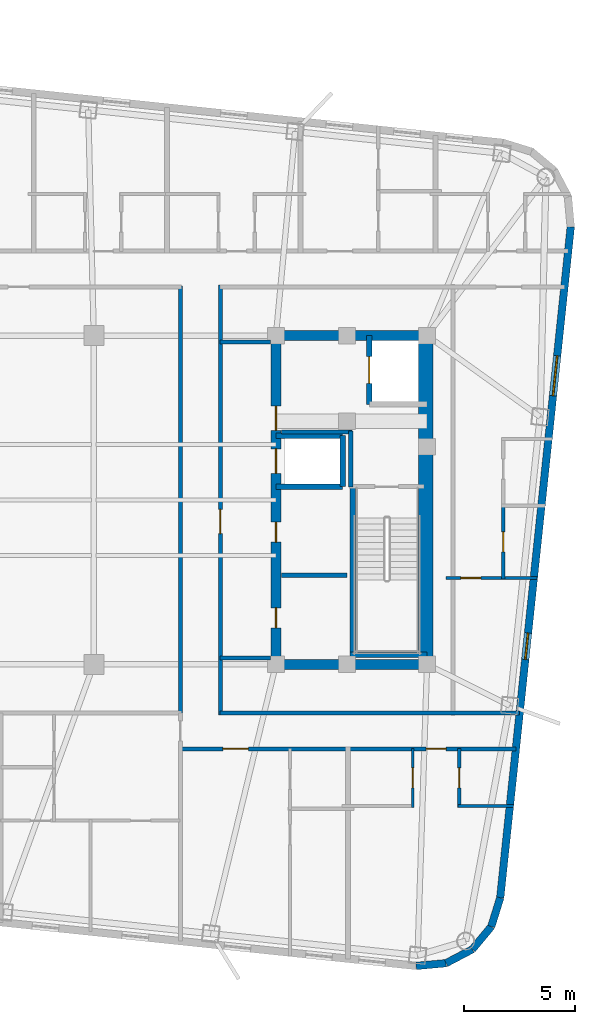
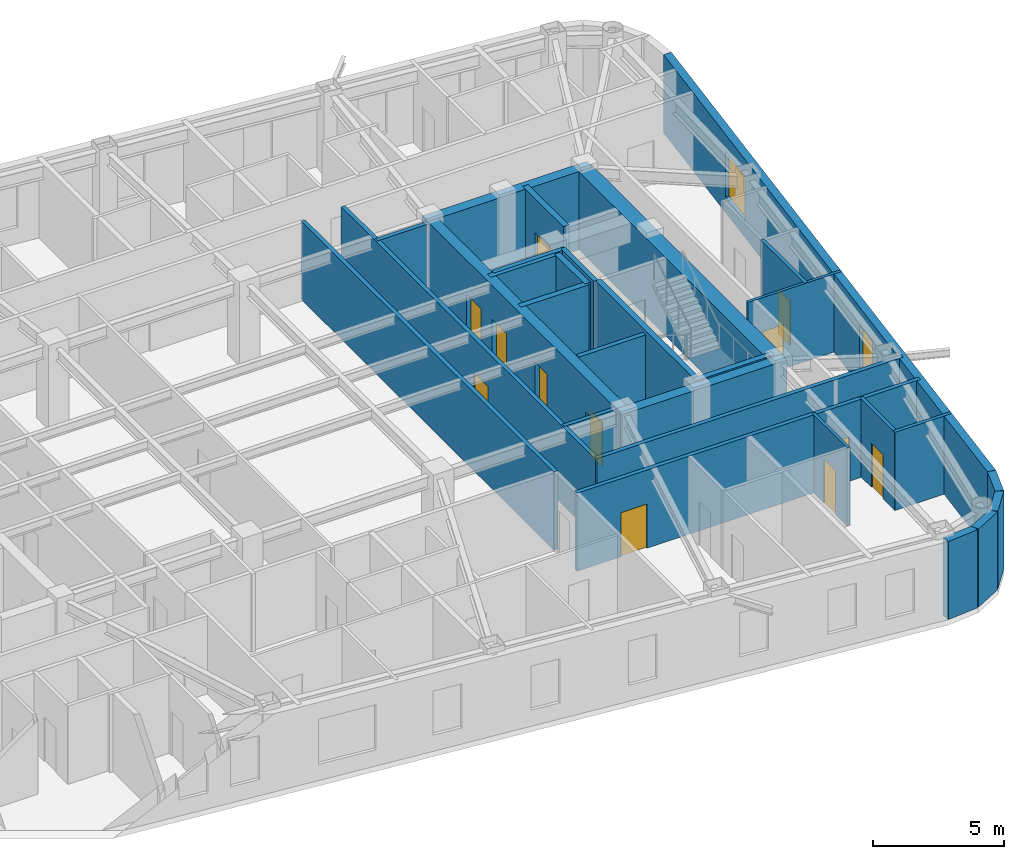
# One storey, part 6 of 11: 29 walls, 12 doors, 2 windows, 14 openings.
"""IFC4 building model written with IfcOpenShell, lengths in metres."""

import ifcopenshell
import ifcopenshell.guid

model = None  # the IFC model being written
_history = None  # IfcOwnerHistory: only IFC2X3 demands one
_inside = {}  # id of a spatial element -> (the spatial element, [elements in it])
_under = {}  # id of a project, library or spatial element -> (it, [spatial elements below it])
_declared = {}  # id of a project -> (the project, [libraries it declares])
_typed = {}  # id of a type object -> (the type object, [elements of that type])
_made_of = {}  # id of a material, layer set ... -> (it, [elements and type objects made of it])


def new_model(schema):
    """Start an empty IFC model of exactly this schema.

    Asked for "IFC4X3", IfcOpenShell would pick the latest addendum, in which some entities
    have other attributes; the version numbers below select the first issue.
    IFC2X3 requires an IfcOwnerHistory on every rooted entity: one is made here for all.
    """
    global model, _history
    if schema == "IFC4X3":
        model = ifcopenshell.file(schema_version=(4, 3, 0, 0))
    else:
        model = ifcopenshell.file(schema=schema)
    _inside.clear()
    _under.clear()
    _declared.clear()
    _typed.clear()
    _made_of.clear()
    _history = None
    if model.schema == "IFC2X3":
        org = make("IfcOrganization", Name="unknown")
        user = make(
            "IfcPersonAndOrganization",
            ThePerson=make("IfcPerson", FamilyName="unknown"),
            TheOrganization=org,
        )
        app = make(
            "IfcApplication",
            ApplicationDeveloper=org,
            Version="unknown",
            ApplicationFullName="unknown",
            ApplicationIdentifier="unknown",
        )
        _history = make(
            "IfcOwnerHistory",
            OwningUser=user,
            OwningApplication=app,
            ChangeAction="ADDED",
            CreationDate=0,
        )
    return model


def make(cls, **values):
    """One entity of the class cls with the attributes given. An attribute that is None is left unset."""
    return model.create_entity(
        cls, **{name: value for name, value in values.items() if value is not None}
    )


def rooted(cls, **values):
    """An entity with a GlobalId (a new one), such as an element, a storey or a relation."""
    return make(cls, GlobalId=ifcopenshell.guid.new(), OwnerHistory=_history, **values)


def si_unit(unit_type, name, prefix=None):
    """IfcSIUnit, for example si_unit("LENGTHUNIT", "METRE", prefix="MILLI")."""
    return make("IfcSIUnit", UnitType=unit_type, Prefix=prefix, Name=name)


def assignment(units):
    """IfcUnitAssignment: the units of a project."""
    return None if units is None else make("IfcUnitAssignment", Units=units)


def point(xyz):
    """IfcCartesianPoint."""
    return None if xyz is None else make("IfcCartesianPoint", Coordinates=xyz)


def direction(xyz):
    """IfcDirection."""
    return None if xyz is None else make("IfcDirection", DirectionRatios=xyz)


def frame(location, z_axis=None, x_axis=None):
    """IfcAxis2Placement3D, a coordinate frame: its origin and axes. An axis left out is left unset."""
    return make(
        "IfcAxis2Placement3D",
        Location=point(location),
        Axis=direction(z_axis),
        RefDirection=direction(x_axis),
    )


def frame_2d(location, x_axis=None):
    """IfcAxis2Placement2D, a coordinate frame in the plane: its origin and x axis."""
    return make(
        "IfcAxis2Placement2D", Location=point(location), RefDirection=direction(x_axis)
    )


def origin():
    """The frame at (0, 0, 0) with its axes left unset."""
    return frame((0.0, 0.0, 0.0))


def place(relative_to, where):
    """IfcLocalPlacement: puts the frame where relative to a parent placement (None: the world)."""
    return make(
        "IfcLocalPlacement", PlacementRelTo=relative_to, RelativePlacement=where
    )


def context(
    kind, dimensions, precision=None, world=None, true_north=None, identifier=None
):
    """IfcGeometricRepresentationContext, for example the 3D "Model" context."""
    return make(
        "IfcGeometricRepresentationContext",
        ContextIdentifier=identifier,
        ContextType=kind,
        CoordinateSpaceDimension=dimensions,
        Precision=precision,
        WorldCoordinateSystem=world,
        TrueNorth=true_north,
    )


def subcontext(parent, identifier, kind, view, scale=None):
    """IfcGeometricRepresentationSubContext, for example "Body" below "Model"."""
    return make(
        "IfcGeometricRepresentationSubContext",
        ContextIdentifier=identifier,
        ContextType=kind,
        ParentContext=parent,
        TargetScale=scale,
        TargetView=view,
    )


def project(units=None, contexts=None):
    """IfcProject with its units and contexts."""
    return rooted(
        "IfcProject",
        Name="project",
        RepresentationContexts=contexts,
        UnitsInContext=assignment(units),
    )


def spatial(cls, under=None, at=None, **own):
    """A site, building, storey or space (cls), placed at a placement, below another one or the project."""
    s = rooted(cls, ObjectPlacement=at, **own)
    if under is not None:
        _under.setdefault(under.id(), (under, []))[1].append(s)
    return s


def profile(cls, at=None, kind="AREA", **sizes):
    """A parametric profile (cls). Its sizes go by their IFC names, for example OverallWidth=200.0."""
    return make(cls, ProfileType=kind, Position=at, **sizes)


def rectangle(**sizes):
    """IfcRectangleProfileDef."""
    return profile("IfcRectangleProfileDef", **sizes)


def extrude(swept, where, along, depth):
    """IfcExtrudedAreaSolid: the profile swept, set in the frame where, extruded along a direction by depth."""
    return make(
        "IfcExtrudedAreaSolid",
        SweptArea=swept,
        Position=where,
        ExtrudedDirection=direction(along),
        Depth=depth,
    )


def shape(context_of_items, identifier, shape_type, items):
    """IfcShapeRepresentation: the items that make up one representation, for example the "Body"."""
    return make(
        "IfcShapeRepresentation",
        ContextOfItems=context_of_items,
        RepresentationIdentifier=identifier,
        RepresentationType=shape_type,
        Items=items,
    )


def material(Name=None, Category=None):
    """IfcMaterial."""
    return make("IfcMaterial", Name=Name, Category=Category)


def layer(
    of_material, thickness, ventilated=None, Name=None, Category=None, Priority=None
):
    """IfcMaterialLayer: one layer of a wall or slab, of a material (None: an air gap)."""
    return make(
        "IfcMaterialLayer",
        Material=of_material,
        LayerThickness=thickness,
        IsVentilated=ventilated,
        Name=Name,
        Category=Category,
        Priority=Priority,
    )


def layer_set(layers, Name=None):
    """IfcMaterialLayerSet."""
    return make("IfcMaterialLayerSet", MaterialLayers=layers, LayerSetName=Name)


def made_of(thing, what):
    """Note that an element or type object is made of a material, layer set ...; save() writes the relation."""
    if what is not None:
        _made_of.setdefault(what.id(), (what, []))[1].append(thing)
    return thing


def type_object(cls, material=None, **own):
    """A type object (cls), such as IfcWallType, which elements share."""
    return made_of(rooted(cls, **own), material)


def element(
    cls,
    number,
    at=None,
    inside=None,
    cuts=None,
    type_object=None,
    material=None,
    context=None,
    identifier="Body",
    shape_type=None,
    held_by="IfcProductDefinitionShape",
    body=None,
    shapes=None,
    **own,
):
    """One element of the class cls, such as IfcWall. Its Tag is "e" and its number.

    at: its placement. inside: the storey or other place that contains it. cuts: it is an
    opening in that element (IfcRelVoidsElement). A single representation is given by context,
    identifier, shape_type and body (its items); several are given by shapes. held_by: the class
    of the entity that holds the representations. save() writes the other relations.
    """
    e = rooted(cls, Tag="e%d" % number, ObjectPlacement=at, **own)
    if body is not None:
        shapes = [shape(context, identifier, shape_type, body)]
    if shapes is not None:
        e.Representation = make(held_by, Representations=shapes)
    if inside is not None:
        _inside.setdefault(inside.id(), (inside, []))[1].append(e)
    if cuts is not None:
        rooted(
            "IfcRelVoidsElement", RelatingBuildingElement=cuts, RelatedOpeningElement=e
        )
    if type_object is not None:
        _typed.setdefault(type_object.id(), (type_object, []))[1].append(e)
    return made_of(e, material)


def fill(opening, filler):
    """IfcRelFillsElement: the door or window that sits in an opening."""
    return rooted(
        "IfcRelFillsElement",
        RelatingOpeningElement=opening,
        RelatedBuildingElement=filler,
    )


def aggregate(whole, parts):
    """IfcRelAggregates: a whole, such as a stair, and the parts it consists of."""
    return rooted("IfcRelAggregates", RelatingObject=whole, RelatedObjects=parts)


def save(model, path):
    """Write the relations noted so far, then the file.

    IfcRelAggregates (storeys below a building ...), IfcRelContainedInSpatialStructure (elements
    in a storey), IfcRelDefinesByType, IfcRelAssociatesMaterial and IfcRelDeclares: one each for
    every whole, place, type object, material and project.
    """
    for whole, parts in _under.values():
        aggregate(whole, parts)
    for where, things in _inside.values():
        rooted(
            "IfcRelContainedInSpatialStructure",
            RelatedElements=things,
            RelatingStructure=where,
        )
    for kind, things in _typed.values():
        rooted("IfcRelDefinesByType", RelatedObjects=things, RelatingType=kind)
    for what, things in _made_of.values():
        rooted("IfcRelAssociatesMaterial", RelatedObjects=things, RelatingMaterial=what)
    for by, libraries in _declared.values():
        rooted("IfcRelDeclares", RelatingContext=by, RelatedDefinitions=libraries)
    model.write(path)


model = new_model("IFC4")

# Units and contexts
model_context = context("Model", 3, precision=1e-05, world=origin(), true_north=direction((0.0, 1.0)))
body_context = subcontext(model_context, "Body", "Model", "MODEL_VIEW")
ifc_project = project(units=[si_unit("LENGTHUNIT", "METRE"), si_unit("AREAUNIT", "SQUARE_METRE"), si_unit("VOLUMEUNIT", "CUBIC_METRE"), si_unit("PLANEANGLEUNIT", "RADIAN"), si_unit("MASSUNIT", "GRAM", prefix="KILO")], contexts=[model_context])

# Site, building, storey
site_placement = place(None, origin())
site = spatial("IfcSite", under=ifc_project, at=site_placement, CompositionType="ELEMENT")
building_placement = place(site_placement, origin())
building = spatial("IfcBuilding", under=site, at=building_placement, Name="Voryun Gate Residences", CompositionType="ELEMENT")
storey_placement = place(building_placement, frame((0.0, 0.0, 287.300048828125)))
storey = spatial("IfcBuildingStorey", under=building, at=storey_placement, Name="L71", CompositionType="ELEMENT", Elevation=287.300048828125)

# Walls
ifc_material_1 = material(Name="Concrete C50/60", Category="concrete")
ifc_layer_1 = layer(ifc_material_1, 0.449951171875, Name="CW_CORE_450")
ifc_layer_set_1 = layer_set([ifc_layer_1], Name="Concrete C50/60")
wall_type_1 = type_object("IfcWallType", Name="CW_CORE_450", PredefinedType="SHEAR", material=ifc_layer_set_1)
for number, where, z_axis, x_axis, name in (
    (1, (12.175048828125, -7.39990234375, 0.0), (0.0, 0.0, 1.0), (1.0, 0.0, 0.0), "L71 Core shear wall CW-L71-ES"),
    (2, (12.175048828125, 7.39990234375, 0.0), (0.0, 0.0, 1.0), (1.0, 0.0, 0.0), "L71 Core shear wall CW-L71-EN"),
):
    element("IfcWall", number, at=place(storey_placement, frame(where, z_axis=z_axis, x_axis=x_axis)), inside=storey, type_object=wall_type_1, Name=name, PredefinedType="SHEAR", context=body_context, shape_type="SweptSolid", body=[
        extrude(rectangle(XDim=7.25, YDim=0.449951171875, at=frame_2d((3.625, 0.0))), origin(), (0.0, 0.0, 1.0), 3.635009765625),
    ])

# Wall, openings, doors
wall_1_placement = place(storey_placement, frame((12.39990234375, -7.39990234375, 0.0), z_axis=(0.0, 0.0, 1.0), x_axis=(0.0, 1.0, 0.0)))
wall_1 = element("IfcWall", 3, at=wall_1_placement, inside=storey, type_object=wall_type_1, Name="L71 Core shear wall CW-L71-EW", PredefinedType="SHEAR", context=body_context, shape_type="SweptSolid", body=[
    extrude(rectangle(XDim=14.7998046875, YDim=0.449951171875, at=frame_2d((7.39990234375, 0.0))), origin(), (0.0, 0.0, 1.0), 3.635009765625),
])
opening_1_placement = place(wall_1_placement, frame((8.60009765625, 0.0, 0.0)))
opening_1 = element("IfcOpeningElement", 4, at=opening_1_placement, cuts=wall_1, Name="Opening LD2", PredefinedType="OPENING", context=body_context, shape_type="SweptSolid", body=[
    extrude(rectangle(XDim=1.10009765625, YDim=2.050048828125, at=frame_2d((0.550048828125, 1.02490234375))), frame((0.0, 0.235107421875, 0.0), z_axis=(0.0, -1.0, 0.0), x_axis=(1.0, 0.0, 0.0)), (0.0, 0.0, 1.0), 0.469970703125),
])
opening_2_placement = place(wall_1_placement, frame((10.530029296875, 0.0, 0.0)))
opening_2 = element("IfcOpeningElement", 5, at=opening_2_placement, cuts=wall_1, Name="Opening D-FD60-2", PredefinedType="OPENING", context=body_context, shape_type="SweptSolid", body=[
    extrude(rectangle(XDim=1.10009765625, YDim=2.050048828125, at=frame_2d((0.550048828125, 1.02490234375))), frame((0.0, 0.235107421875, 0.0), z_axis=(0.0, -1.0, 0.0), x_axis=(1.0, 0.0, 0.0)), (0.0, 0.0, 1.0), 0.469970703125),
])
opening_3_placement = place(wall_1_placement, frame((1.64990234375, 0.0, 0.0)))
opening_3 = element("IfcOpeningElement", 6, at=opening_3_placement, cuts=wall_1, Name="Opening D-FD60-4", PredefinedType="OPENING", context=body_context, shape_type="SweptSolid", body=[
    extrude(rectangle(XDim=0.89990234375, YDim=2.050048828125, at=frame_2d((0.449951171875, 1.02490234375))), frame((0.0, 0.235107421875, 0.0), z_axis=(0.0, -1.0, 0.0), x_axis=(1.0, 0.0, 0.0)), (0.0, 0.0, 1.0), 0.469970703125),
])
opening_4_placement = place(wall_1_placement, frame((5.5, 0.0, 0.0)))
opening_4 = element("IfcOpeningElement", 7, at=opening_4_placement, cuts=wall_1, Name="Opening D-FD60-4", PredefinedType="OPENING", context=body_context, shape_type="SweptSolid", body=[
    extrude(rectangle(XDim=0.89990234375, YDim=2.050048828125, at=frame_2d((0.449951171875, 1.02490234375))), frame((0.0, 0.235107421875, 0.0), z_axis=(0.0, -1.0, 0.0), x_axis=(1.0, 0.0, 0.0)), (0.0, 0.0, 1.0), 0.469970703125),
])
ifc_material_2 = material(Name="Painted steel fire door", Category="steel")
door_type_1 = type_object("IfcDoorType", Name="DR_FD60_FFLOB_1100", OperationType="NOTDEFINED", PredefinedType="DOOR", material=ifc_material_2)
door_1_placement = place(opening_2_placement, origin())
door_1 = element("IfcDoor", 8, at=door_1_placement, inside=storey, type_object=door_type_1, Name="Door DR-L71-CLOB-E", OperationType="SINGLE_SWING_RIGHT", OverallHeight=2.050048828125, OverallWidth=1.10009765625, PredefinedType="DOOR", context=body_context, shape_type="SweptSolid", body=[
    extrude(rectangle(XDim=1.10009765625, YDim=2.050048828125, at=frame_2d((0.550048828125, 1.02490234375))), frame((0.0, 0.02490234375, 0.0), z_axis=(0.0, -1.0, 0.0), x_axis=(1.0, 0.0, 0.0)), (0.0, 0.0, 1.0), 0.050048828125),
])
fill(opening_2, door_1)
ifc_material_3 = material(Name="Painted steel fire door", Category="steel")
door_type_2 = type_object("IfcDoorType", Name="DR_FD60_RISER_900", OperationType="NOTDEFINED", PredefinedType="DOOR", material=ifc_material_3)
door_2_placement = place(opening_3_placement, origin())
door_2 = element("IfcDoor", 9, at=door_2_placement, inside=storey, type_object=door_type_2, Name="Door DR-L71-RECE-HIS", OperationType="SINGLE_SWING_RIGHT", OverallHeight=2.050048828125, OverallWidth=0.89990234375, PredefinedType="DOOR", context=body_context, shape_type="SweptSolid", body=[
    extrude(rectangle(XDim=0.89990234375, YDim=2.050048828125, at=frame_2d((0.449951171875, 1.02490234375))), frame((0.0, 0.02490234375, 0.0), z_axis=(0.0, -1.0, 0.0), x_axis=(1.0, 0.0, 0.0)), (0.0, 0.0, 1.0), 0.050048828125),
])
fill(opening_3, door_2)
door_3_placement = place(opening_4_placement, origin())
door_3 = element("IfcDoor", 10, at=door_3_placement, inside=storey, type_object=door_type_2, Name="Door DR-L71-RECE-HIN", OperationType="SINGLE_SWING_LEFT", OverallHeight=2.050048828125, OverallWidth=0.89990234375, PredefinedType="DOOR", context=body_context, shape_type="SweptSolid", body=[
    extrude(rectangle(XDim=0.89990234375, YDim=2.050048828125, at=frame_2d((0.449951171875, 1.02490234375))), frame((0.0, 0.02490234375, 0.0), z_axis=(0.0, -1.0, 0.0), x_axis=(1.0, 0.0, 0.0)), (0.0, 0.0, 1.0), 0.050048828125),
])
fill(opening_4, door_3)
ifc_material_4 = material(Name="Anodised aluminium", Category="aluminium")
door_type_3 = type_object("IfcDoorType", Name="DR_LD_PASS_1100", OperationType="NOTDEFINED", PredefinedType="DOOR", material=ifc_material_4)
door_4_placement = place(opening_1_placement, origin())
door_4 = element("IfcDoor", 11, at=door_4_placement, inside=storey, type_object=door_type_3, Name="Lift EL-P8 sliding landing door L71", OperationType="SLIDING_TO_LEFT", OverallHeight=2.050048828125, OverallWidth=1.10009765625, PredefinedType="DOOR", context=body_context, shape_type="SweptSolid", body=[
    extrude(rectangle(XDim=1.10009765625, YDim=2.050048828125, at=frame_2d((0.550048828125, 1.02490234375))), frame((0.0, 0.02490234375, 0.0), z_axis=(0.0, -1.0, 0.0), x_axis=(1.0, 0.0, 0.0)), (0.0, 0.0, 1.0), 0.050048828125),
])
fill(opening_1, door_4)

# Walls
ifc_material_5 = material(Name="Concrete C60/75", Category="concrete")
ifc_layer_2 = layer(ifc_material_5, 0.64990234375, Name="CW_CORE_650")
ifc_layer_set_2 = layer_set([ifc_layer_2], Name="Concrete C60/75")
wall_type_2 = type_object("IfcWallType", Name="CW_CORE_650", PredefinedType="SHEAR", material=ifc_layer_set_2)
wall_2_placement = place(storey_placement, frame((19.14501953125, -7.39990234375, 0.0), z_axis=(0.0, 0.0, 1.0), x_axis=(0.0, 1.0, 0.0)))
element("IfcWall", 12, at=wall_2_placement, inside=storey, type_object=wall_type_2, Name="L71 Core shear wall CW-L71-EE", PredefinedType="SHEAR", context=body_context, shape_type="SweptSolid", body=[
    extrude(rectangle(XDim=14.7998046875, YDim=0.64990234375, at=frame_2d((7.39990234375, 0.0))), origin(), (0.0, 0.0, 1.0), 3.635009765625),
])
ifc_material_6 = material(Name="Gypsum acoustic fireboard")
ifc_layer_3 = layer(ifc_material_6, 0.179931640625, Name="W_CORR_RATED_180")
ifc_layer_set_3 = layer_set([ifc_layer_3], Name="Gypsum acoustic fireboard")
wall_type_3 = type_object("IfcWallType", Name="W_CORR_RATED_180", PredefinedType="PARTITIONING", material=ifc_layer_set_3)
for number, where, z_axis, x_axis, name in (
    (13, (9.8798828125, 7.1201171875, 0.0), (0.0, 0.0, 1.0), (1.0, 0.0, 0.0), "Partition wall WP-L71-PLBN-E"),
    (14, (9.8798828125, -7.1201171875, 0.0), (0.0, 0.0, 1.0), (1.0, 0.0, 0.0), "Partition wall WP-L71-PLBS-E"),
):
    element("IfcWall", number, at=place(storey_placement, frame(where, z_axis=z_axis, x_axis=x_axis)), inside=storey, type_object=wall_type_3, Name=name, PredefinedType="PARTITIONING", context=body_context, shape_type="SweptSolid", body=[
        extrude(rectangle(XDim=2.27001953125, YDim=0.179931640625, at=frame_2d((1.135009765625, 0.0))), origin(), (0.0, 0.0, 1.0), 3.635009765625),
    ])

# Wall, opening, door
wall_3_placement = place(storey_placement, frame((9.89990234375, -9.679931640625, 0.0), z_axis=(0.0, 0.0, 1.0), x_axis=(0.0, 1.0, 0.0)))
wall_3 = element("IfcWall", 15, at=wall_3_placement, inside=storey, type_object=wall_type_3, Name="Partition wall WP-L71-PLBE-FULL", PredefinedType="PARTITIONING", context=body_context, shape_type="SweptSolid", body=[
    extrude(rectangle(XDim=19.35986328125, YDim=0.179931640625, at=frame_2d((9.679931640625, 0.0))), origin(), (0.0, 0.0, 1.0), 3.635009765625),
])
opening_5_placement = place(wall_3_placement, frame((8.162109375, 0.0, 0.0)))
opening_5 = element("IfcOpeningElement", 16, at=opening_5_placement, cuts=wall_3, Name="Opening D-FD60-2", PredefinedType="OPENING", context=body_context, shape_type="SweptSolid", body=[
    extrude(rectangle(XDim=1.10009765625, YDim=2.050048828125, at=frame_2d((0.550048828125, 1.02490234375))), frame((0.0, 0.099853515625, 0.0), z_axis=(0.0, -1.0, 0.0), x_axis=(1.0, 0.0, 0.0)), (0.0, 0.0, 1.0), 0.199951171875),
])
door_5_placement = place(opening_5_placement, origin())
door_5 = element("IfcDoor", 17, at=door_5_placement, inside=storey, type_object=door_type_1, Name="Door DR-L71-PLBE-COR", OperationType="SINGLE_SWING_RIGHT", OverallHeight=2.050048828125, OverallWidth=1.10009765625, PredefinedType="DOOR", context=body_context, shape_type="SweptSolid", body=[
    extrude(rectangle(XDim=1.10009765625, YDim=2.050048828125, at=frame_2d((0.550048828125, 1.02490234375))), frame((0.0, 0.02490234375, 0.0), z_axis=(0.0, -1.0, 0.0), x_axis=(1.0, 0.0, 0.0)), (0.0, 0.0, 1.0), 0.050048828125),
])
fill(opening_5, door_5)

# Walls
wall_4_placement = place(storey_placement, frame((9.8798828125, -9.590087890625, 0.0), z_axis=(0.0, 0.0, 1.0), x_axis=(1.0, 0.0, 0.0)))
element("IfcWall", 18, at=wall_4_placement, inside=storey, type_object=wall_type_3, Name="Partition wall WP-L71-CWING-ES", PredefinedType="PARTITIONING", context=body_context, shape_type="SweptSolid", body=[
    extrude(rectangle(XDim=13.489990234375, YDim=0.179931640625, at=frame_2d((6.7451171875, 0.0))), origin(), (0.0, 0.0, 1.0), 3.635009765625),
])
wall_5_placement = place(storey_placement, frame((8.10009765625, -9.6298828125, 0.0), z_axis=(0.0, 0.0, 1.0), x_axis=(0.0, 1.0, 0.0)))
element("IfcWall", 19, at=wall_5_placement, inside=storey, type_object=wall_type_3, Name="Partition wall WP-L71-Z3E", PredefinedType="PARTITIONING", context=body_context, shape_type="SweptSolid", body=[
    extrude(rectangle(XDim=19.259765625, YDim=0.179931640625, at=frame_2d((9.6298828125, 0.0))), origin(), (0.0, 0.0, 1.0), 3.635009765625),
])

# Wall, openings, doors
wall_6_placement = place(storey_placement, frame((8.080078125, -11.199951171875, 0.0), z_axis=(0.0, 0.0, 1.0), x_axis=(1.0, 0.0, 0.0)))
wall_6 = element("IfcWall", 20, at=wall_6_placement, inside=storey, type_object=wall_type_3, Name="Partition wall WP-L71-SCORR-E", PredefinedType="PARTITIONING", context=body_context, shape_type="SweptSolid", body=[
    extrude(rectangle(XDim=15.12060546875, YDim=0.179931640625, at=frame_2d((7.560302734375, 0.0))), origin(), (0.0, 0.0, 1.0), 3.635009765625),
])
opening_6_placement = place(wall_6_placement, frame((1.931884765625, 0.0, 0.0)))
opening_6 = element("IfcOpeningElement", 21, at=opening_6_placement, cuts=wall_6, Name="Opening D-UNIT-1", PredefinedType="OPENING", context=body_context, shape_type="SweptSolid", body=[
    extrude(rectangle(XDim=1.14990234375, YDim=2.050048828125, at=frame_2d((0.574951171875, 1.02490234375))), frame((0.0, 0.099853515625, 0.0), z_axis=(0.0, -1.0, 0.0), x_axis=(1.0, 0.0, 0.0)), (0.0, 0.0, 1.0), 0.199951171875),
])
opening_7_placement = place(wall_6_placement, frame((11.074951171875, 0.0, 0.0)))
opening_7 = element("IfcOpeningElement", 22, at=opening_7_placement, cuts=wall_6, Name="Opening D-INT-2", PredefinedType="OPENING", context=body_context, shape_type="SweptSolid", body=[
    extrude(rectangle(XDim=0.89990234375, YDim=2.050048828125, at=frame_2d((0.449951171875, 1.02490234375))), frame((0.0, 0.099853515625, 0.0), z_axis=(0.0, -1.0, 0.0), x_axis=(1.0, 0.0, 0.0)), (0.0, 0.0, 1.0), 0.199951171875),
])
ifc_material_7 = material(Name="Architectural oak veneer")
door_type_4 = type_object("IfcDoorType", Name="DR_INT_BATH_900", OperationType="NOTDEFINED", PredefinedType="DOOR", material=ifc_material_7)
door_6_placement = place(opening_7_placement, origin())
door_6 = element("IfcDoor", 23, at=door_6_placement, inside=storey, type_object=door_type_4, Name="Door DR-L71-SENT-7", OperationType="SINGLE_SWING_RIGHT", OverallHeight=2.050048828125, OverallWidth=0.89990234375, PredefinedType="DOOR", context=body_context, shape_type="SweptSolid", body=[
    extrude(rectangle(XDim=0.89990234375, YDim=2.050048828125, at=frame_2d((0.449951171875, 1.02490234375))), frame((0.0, 0.02490234375, 0.0), z_axis=(0.0, -1.0, 0.0), x_axis=(1.0, 0.0, 0.0)), (0.0, 0.0, 1.0), 0.050048828125),
])
fill(opening_7, door_6)
ifc_material_8 = material(Name="Armoured timber-clad fire door", Category="wood")
door_type_5 = type_object("IfcDoorType", Name="DR_UNIT_ENTRY_1150", OperationType="NOTDEFINED", PredefinedType="DOOR", material=ifc_material_8)
door_7_placement = place(opening_6_placement, origin())
door_7 = element("IfcDoor", 24, at=door_7_placement, inside=storey, type_object=door_type_5, Name="Door DR-L71-SENT-6", OperationType="SINGLE_SWING_LEFT", OverallHeight=2.050048828125, OverallWidth=1.14990234375, PredefinedType="DOOR", context=body_context, shape_type="SweptSolid", body=[
    extrude(rectangle(XDim=1.14990234375, YDim=2.050048828125, at=frame_2d((0.574951171875, 1.02490234375))), frame((0.0, 0.02490234375, 0.0), z_axis=(0.0, -1.0, 0.0), x_axis=(1.0, 0.0, 0.0)), (0.0, 0.0, 1.0), 0.050048828125),
])
fill(opening_6, door_7)

# Wall, openings, windows
ifc_material_9 = material(Name="Charcoal terracotta masonry", Category="masonry")
ifc_layer_4 = layer(ifc_material_9, 0.340087890625, Name="W_EXT_TERRACOTTA_340")
ifc_layer_set_4 = layer_set([ifc_layer_4], Name="Charcoal terracotta masonry")
wall_type_4 = type_object("IfcWallType", Name="W_EXT_TERRACOTTA_340", PredefinedType="ELEMENTEDWALL", material=ifc_layer_set_4)
wall_7_placement = place(storey_placement, frame((25.670166015625, 12.295654296875, 0.0), z_axis=(0.0, 0.0, 1.0), x_axis=(-0.104533282919, -0.994521388791, 0.0)))
wall_7 = element("IfcWall", 25, at=wall_7_placement, inside=storey, type_object=wall_type_4, Name="Exterior wall WEXT-L71-16", PredefinedType="ELEMENTEDWALL", context=body_context, shape_type="SweptSolid", body=[
    extrude(rectangle(XDim=30.366455078125, YDim=0.340087890625, at=frame_2d((15.18310546875, 0.0))), origin(), (0.0, 0.0, 1.0), 3.635009765625),
])
opening_8_placement = place(wall_7_placement, frame((5.841552734375, 0.0, 0.75)))
opening_8 = element("IfcOpeningElement", 26, at=opening_8_placement, cuts=wall_7, Name="Opening WN1", PredefinedType="OPENING", context=body_context, shape_type="SweptSolid", body=[
    extrude(rectangle(XDim=1.800048828125, YDim=2.10009765625, at=frame_2d((0.89990234375, 1.050048828125))), frame((0.0, 0.179931640625, 0.0), z_axis=(0.0, -1.0, 0.0), x_axis=(1.0, 0.0, 0.0)), (0.0, 0.0, 1.0), 0.360107421875),
])
opening_9_placement = place(wall_7_placement, frame((18.3818359375, 0.0, 0.75)))
opening_9 = element("IfcOpeningElement", 27, at=opening_9_placement, cuts=wall_7, Name="Opening WN6", PredefinedType="OPENING", context=body_context, shape_type="SweptSolid", body=[
    extrude(rectangle(XDim=1.199951171875, YDim=2.050048828125, at=frame_2d((0.60009765625, 1.02490234375))), frame((0.0, 0.179931640625, 0.0), z_axis=(0.0, -1.0, 0.0), x_axis=(1.0, 0.0, 0.0)), (0.0, 0.0, 1.0), 0.360107421875),
])
ifc_material_10 = material(Name="Laminated low-E glass", Category="glass")
window_type_1 = type_object("IfcWindowType", Name="WN_POD_SLOT_1200", PartitioningType="SINGLE_PANEL", PredefinedType="WINDOW", material=ifc_material_10)
window_1_placement = place(opening_9_placement, origin())
window_1 = element("IfcWindow", 28, at=window_1_placement, inside=storey, type_object=window_type_1, Name="Window WN-L71-DWFIX-25", OverallHeight=2.050048828125, OverallWidth=1.199951171875, PartitioningType="SINGLE_PANEL", PredefinedType="WINDOW", context=body_context, shape_type="SweptSolid", body=[
    extrude(rectangle(XDim=1.199951171875, YDim=2.050048828125, at=frame_2d((0.60009765625, 1.02490234375))), frame((0.0, 0.030029296875, 0.0), z_axis=(0.0, -1.0, 0.0), x_axis=(1.0, 0.0, 0.0)), (0.0, 0.0, 1.0), 0.06005859375),
])
fill(opening_9, window_1)
ifc_material_11 = material(Name="Laminated low-E glass", Category="glass")
window_type_2 = type_object("IfcWindowType", Name="WN_RES_PUNCH_1800", PartitioningType="SINGLE_PANEL", PredefinedType="WINDOW", material=ifc_material_11)
window_2_placement = place(opening_8_placement, origin())
window_2 = element("IfcWindow", 29, at=window_2_placement, inside=storey, type_object=window_type_2, Name="Window WN-WEXT-L71-16-01", OverallHeight=2.10009765625, OverallWidth=1.800048828125, PartitioningType="SINGLE_PANEL", PredefinedType="WINDOW", context=body_context, shape_type="SweptSolid", body=[
    extrude(rectangle(XDim=1.800048828125, YDim=2.10009765625, at=frame_2d((0.89990234375, 1.050048828125))), frame((0.0, 0.030029296875, 0.0), z_axis=(0.0, -1.0, 0.0), x_axis=(1.0, 0.0, 0.0)), (0.0, 0.0, 1.0), 0.06005859375),
])
fill(opening_8, window_2)

# Walls
wall_8_placement = place(storey_placement, frame((22.495849609375, -17.904541015625, 0.0), z_axis=(0.0, 0.0, 1.0), x_axis=(-0.296416228123, -0.955058856671, 0.0)))
element("IfcWall", 30, at=wall_8_placement, inside=storey, type_object=wall_type_4, Name="Exterior wall WEXT-L71-17", PredefinedType="ELEMENTEDWALL", context=body_context, shape_type="SweptSolid", body=[
    extrude(rectangle(XDim=1.35400390625, YDim=0.340087890625, at=frame_2d((0.677001953125, 0.0))), origin(), (0.0, 0.0, 1.0), 3.635009765625),
])
wall_9_placement = place(storey_placement, frame((22.094482421875, -19.19775390625, 0.0), z_axis=(0.0, 0.0, 1.0), x_axis=(-0.639501603217, -0.768789762863, 0.0)))
element("IfcWall", 31, at=wall_9_placement, inside=storey, type_object=wall_type_4, Name="Exterior wall WEXT-L71-18", PredefinedType="ELEMENTEDWALL", context=body_context, shape_type="SweptSolid", body=[
    extrude(rectangle(XDim=1.3369140625, YDim=0.340087890625, at=frame_2d((0.66845703125, 0.0))), origin(), (0.0, 0.0, 1.0), 3.635009765625),
])
wall_10_placement = place(storey_placement, frame((21.239501953125, -20.2255859375, 0.0), z_axis=(0.0, 0.0, 1.0), x_axis=(-0.884922182678, -0.465738908193, 0.0)))
element("IfcWall", 32, at=wall_10_placement, inside=storey, type_object=wall_type_4, Name="Exterior wall WEXT-L71-19", PredefinedType="ELEMENTEDWALL", context=body_context, shape_type="SweptSolid", body=[
    extrude(rectangle(XDim=1.337158203125, YDim=0.340087890625, at=frame_2d((0.66845703125, 0.0))), origin(), (0.0, 0.0, 1.0), 3.635009765625),
])
wall_11_placement = place(storey_placement, frame((20.05615234375, -20.848388671875, 0.0), z_axis=(0.0, 0.0, 1.0), x_axis=(-0.995813013343, -0.091413579172, 0.0)))
element("IfcWall", 33, at=wall_11_placement, inside=storey, type_object=wall_type_4, Name="Exterior wall WEXT-L71-20", PredefinedType="ELEMENTEDWALL", context=body_context, shape_type="SweptSolid", body=[
    extrude(rectangle(XDim=1.35400390625, YDim=0.340087890625, at=frame_2d((0.677001953125, 0.0))), origin(), (0.0, 0.0, 1.0), 3.635009765625),
])
ifc_material_12 = material(Name="Concrete C40/50", Category="concrete")
ifc_layer_5 = layer(ifc_material_12, 0.199951171875, Name="W_FF_LOBBY_200")
ifc_layer_set_5 = layer_set([ifc_layer_5], Name="Concrete C40/50")
wall_type_5 = type_object("IfcWallType", Name="W_FF_LOBBY_200", PredefinedType="PARTITIONING", material=ifc_layer_set_5)
wall_12_placement = place(storey_placement, frame((15.760009765625, 0.580078125, 0.0), z_axis=(0.0, 0.0, 1.0), x_axis=(0.0, 1.0, 0.0)))
element("IfcWall", 34, at=wall_12_placement, inside=storey, type_object=wall_type_5, Name="Partition wall WP-L71-FFP0-E", PredefinedType="PARTITIONING", context=body_context, shape_type="SweptSolid", body=[
    extrude(rectangle(XDim=2.52001953125, YDim=0.199951171875, at=frame_2d((1.260009765625, 0.0))), origin(), (0.0, 0.0, 1.0), 3.635009765625),
])
wall_13_placement = place(storey_placement, frame((12.659912109375, 3.06005859375, 0.0), z_axis=(0.0, 0.0, 1.0), x_axis=(1.0, 0.0, 0.0)))
element("IfcWall", 35, at=wall_13_placement, inside=storey, type_object=wall_type_5, Name="Partition wall WP-L71-FFPS-E", PredefinedType="PARTITIONING", context=body_context, shape_type="SweptSolid", body=[
    extrude(rectangle(XDim=3.16015625, YDim=0.199951171875, at=frame_2d((1.580078125, 0.0))), origin(), (0.0, 0.0, 1.0), 3.635009765625),
])
wall_14_placement = place(storey_placement, frame((12.659912109375, -3.389892578125, 0.0), z_axis=(0.0, 0.0, 1.0), x_axis=(1.0, 0.0, 0.0)))
element("IfcWall", 36, at=wall_14_placement, inside=storey, type_object=wall_type_5, Name="Partition wall WP-L71-RECEY-HI", PredefinedType="PARTITIONING", context=body_context, shape_type="SweptSolid", body=[
    extrude(rectangle(XDim=2.940185546875, YDim=0.199951171875, at=frame_2d((1.47021484375, 0.0))), origin(), (0.0, 0.0, 1.0), 3.635009765625),
])
ifc_material_13 = material(Name="Concrete C50/60", Category="concrete")
ifc_layer_6 = layer(ifc_material_13, 0.25, Name="W_SHAFT_RC250")
ifc_layer_set_6 = layer_set([ifc_layer_6], Name="Concrete C50/60")
wall_type_6 = type_object("IfcWallType", Name="W_SHAFT_RC250", PredefinedType="SOLIDWALL", material=ifc_layer_set_6)
wall_15_placement = place(storey_placement, frame((15.860107421875, -7.0849609375, 0.0), z_axis=(0.0, 0.0, 1.0), x_axis=(0.0, 1.0, 0.0)))
element("IfcWall", 37, at=wall_15_placement, inside=storey, type_object=wall_type_6, Name="L71 Stair shaft structural wall E-STL", PredefinedType="SOLIDWALL", context=body_context, shape_type="SweptSolid", body=[
    extrude(rectangle(XDim=7.68505859375, YDim=0.25, at=frame_2d((3.842529296875, 0.0))), origin(), (0.0, 0.0, 1.0), 3.635009765625),
])
wall_16_placement = place(storey_placement, frame((15.739990234375, -6.965087890625, 0.0), z_axis=(0.0, 0.0, 1.0), x_axis=(1.0, 0.0, 0.0)))
element("IfcWall", 38, at=wall_16_placement, inside=storey, type_object=wall_type_6, Name="L71 Stair shaft structural wall E-STS", PredefinedType="SOLIDWALL", context=body_context, shape_type="SweptSolid", body=[
    extrude(rectangle(XDim=3.4599609375, YDim=0.25, at=frame_2d((1.72998046875, 0.0))), origin(), (0.0, 0.0, 1.0), 3.635009765625),
])

# Wall, opening, door
wall_17_placement = place(storey_placement, frame((16.60009765625, 7.39990234375, 0.0), z_axis=(0.0, 0.0, 1.0), x_axis=(0.0, -1.0, 0.0)))
wall_17 = element("IfcWall", 39, at=wall_17_placement, inside=storey, type_object=wall_type_6, Name="Lift shaft wall WSH-L71-EL-FF-E1-W", PredefinedType="SOLIDWALL", context=body_context, shape_type="SweptSolid", body=[
    extrude(rectangle(XDim=3.099853515625, YDim=0.25, at=frame_2d((1.5498046875, 0.0))), origin(), (0.0, 0.0, 1.0), 3.635009765625),
])
opening_10_placement = place(wall_17_placement, frame((0.949951171875, 0.0, 0.0)))
opening_10 = element("IfcOpeningElement", 40, at=opening_10_placement, cuts=wall_17, Name="Opening LD1", PredefinedType="OPENING", context=body_context, shape_type="SweptSolid", body=[
    extrude(rectangle(XDim=1.199951171875, YDim=2.050048828125, at=frame_2d((0.60009765625, 1.02490234375))), frame((0.0, 0.135009765625, 0.0), z_axis=(0.0, -1.0, 0.0), x_axis=(1.0, 0.0, 0.0)), (0.0, 0.0, 1.0), 0.27001953125),
])
ifc_material_14 = material(Name="Anodised aluminium", Category="aluminium")
door_type_6 = type_object("IfcDoorType", Name="DR_LD_FF_1200", OperationType="NOTDEFINED", PredefinedType="DOOR", material=ifc_material_14)
door_8_placement = place(opening_10_placement, origin())
door_8 = element("IfcDoor", 41, at=door_8_placement, inside=storey, type_object=door_type_6, Name="Lift EL-FF-E1 sliding landing door L71", OperationType="SLIDING_TO_LEFT", OverallHeight=2.050048828125, OverallWidth=1.199951171875, PredefinedType="DOOR", context=body_context, shape_type="SweptSolid", body=[
    extrude(rectangle(XDim=1.199951171875, YDim=2.050048828125, at=frame_2d((0.60009765625, 1.02490234375))), frame((0.0, 0.02490234375, 0.0), z_axis=(0.0, -1.0, 0.0), x_axis=(1.0, 0.0, 0.0)), (0.0, 0.0, 1.0), 0.050048828125),
])
fill(opening_10, door_8)

# Walls
wall_18_placement = place(storey_placement, frame((12.39990234375, 0.60009765625, 0.0), z_axis=(0.0, 0.0, 1.0), x_axis=(1.0, 0.0, 0.0)))
element("IfcWall", 42, at=wall_18_placement, inside=storey, type_object=wall_type_6, Name="Lift shaft wall WSH-L71-EL-P8-S", PredefinedType="SOLIDWALL", context=body_context, shape_type="SweptSolid", body=[
    extrude(rectangle(XDim=3.0, YDim=0.25, at=frame_2d((1.5, 0.0))), origin(), (0.0, 0.0, 1.0), 3.635009765625),
])
wall_19_placement = place(storey_placement, frame((15.39990234375, 0.60009765625, 0.0), z_axis=(0.0, 0.0, 1.0), x_axis=(0.0, 1.0, 0.0)))
element("IfcWall", 43, at=wall_19_placement, inside=storey, type_object=wall_type_6, Name="Lift shaft wall WSH-L71-EL-P8-E", PredefinedType="SOLIDWALL", context=body_context, shape_type="SweptSolid", body=[
    extrude(rectangle(XDim=2.2998046875, YDim=0.25, at=frame_2d((1.14990234375, 0.0))), origin(), (0.0, 0.0, 1.0), 3.635009765625),
])
wall_20_placement = place(storey_placement, frame((15.39990234375, 2.89990234375, 0.0), z_axis=(0.0, 0.0, 1.0), x_axis=(-1.0, 0.0, 0.0)))
element("IfcWall", 44, at=wall_20_placement, inside=storey, type_object=wall_type_6, Name="Lift shaft wall WSH-L71-EL-P8-N", PredefinedType="SOLIDWALL", context=body_context, shape_type="SweptSolid", body=[
    extrude(rectangle(XDim=3.0, YDim=0.25, at=frame_2d((1.5, 0.0))), origin(), (0.0, 0.0, 1.0), 3.635009765625),
])

# Wall, opening, door
ifc_material_15 = material(Name="Gypsum acoustic partition")
ifc_layer_7 = layer(ifc_material_15, 0.125, Name="W_UNIT_PART_125")
ifc_layer_set_7 = layer_set([ifc_layer_7], Name="Gypsum acoustic partition")
wall_type_7 = type_object("IfcWallType", Name="W_UNIT_PART_125", PredefinedType="PARTITIONING", material=ifc_layer_set_7)
wall_21_placement = place(storey_placement, frame((18.553955078125, -13.830078125, 0.0), z_axis=(0.0, 0.0, 1.0), x_axis=(0.0, 1.0, 0.0)))
wall_21 = element("IfcWall", 45, at=wall_21_placement, inside=storey, type_object=wall_type_7, Name="Partition wall WP-L71-S7-CVK", PredefinedType="PARTITIONING", context=body_context, shape_type="SweptSolid", body=[
    extrude(rectangle(XDim=2.650146484375, YDim=0.125, at=frame_2d((1.3251953125, 0.0))), origin(), (0.0, 0.0, 1.0), 3.635009765625),
])
opening_11_placement = place(wall_21_placement, frame((0.875, 0.0, 0.0)))
opening_11 = element("IfcOpeningElement", 46, at=opening_11_placement, cuts=wall_21, Name="Opening D-INT-2", PredefinedType="OPENING", context=body_context, shape_type="SweptSolid", body=[
    extrude(rectangle(XDim=0.89990234375, YDim=2.050048828125, at=frame_2d((0.449951171875, 1.02490234375))), frame((0.0, 0.072509765625, 0.0), z_axis=(0.0, -1.0, 0.0), x_axis=(1.0, 0.0, 0.0)), (0.0, 0.0, 1.0), 0.14501953125),
])
door_9_placement = place(opening_11_placement, origin())
door_9 = element("IfcDoor", 47, at=door_9_placement, inside=storey, type_object=door_type_4, Name="Door DR-L71-S7-DK", OperationType="SINGLE_SWING_LEFT", OverallHeight=2.050048828125, OverallWidth=0.89990234375, PredefinedType="DOOR", context=body_context, shape_type="SweptSolid", body=[
    extrude(rectangle(XDim=0.89990234375, YDim=2.050048828125, at=frame_2d((0.449951171875, 1.02490234375))), frame((0.0, 0.02490234375, 0.0), z_axis=(0.0, -1.0, 0.0), x_axis=(1.0, 0.0, 0.0)), (0.0, 0.0, 1.0), 0.050048828125),
])
fill(opening_11, door_9)

wall_22_placement = place(storey_placement, frame((20.050048828125, -3.510009765625, 0.0), z_axis=(0.0, 0.0, 1.0), x_axis=(1.0, 0.0, 0.0)))
wall_22 = element("IfcWall", 48, at=wall_22_placement, inside=storey, type_object=wall_type_7, Name="Partition wall WP-L71-E1-HZ3", PredefinedType="PARTITIONING", context=body_context, shape_type="SweptSolid", body=[
    extrude(rectangle(XDim=4.109619140625, YDim=0.125, at=frame_2d((2.0546875, 0.0))), origin(), (0.0, 0.0, 1.0), 3.635009765625),
])
opening_12_placement = place(wall_22_placement, frame((0.674072265625, 0.0, 0.0)))
opening_12 = element("IfcOpeningElement", 49, at=opening_12_placement, cuts=wall_22, Name="Opening D-INT-2", PredefinedType="OPENING", context=body_context, shape_type="SweptSolid", body=[
    extrude(rectangle(XDim=0.89990234375, YDim=2.050048828125, at=frame_2d((0.449951171875, 1.02490234375))), frame((0.0, 0.072509765625, 0.0), z_axis=(0.0, -1.0, 0.0), x_axis=(1.0, 0.0, 0.0)), (0.0, 0.0, 1.0), 0.14501953125),
])
door_10_placement = place(opening_12_placement, origin())
door_10 = element("IfcDoor", 50, at=door_10_placement, inside=storey, type_object=door_type_4, Name="Door DR-L71-E1-DMB", OperationType="SINGLE_SWING_LEFT", OverallHeight=2.050048828125, OverallWidth=0.89990234375, PredefinedType="DOOR", context=body_context, shape_type="SweptSolid", body=[
    extrude(rectangle(XDim=0.89990234375, YDim=2.050048828125, at=frame_2d((0.449951171875, 1.02490234375))), frame((0.0, 0.02490234375, 0.0), z_axis=(0.0, -1.0, 0.0), x_axis=(1.0, 0.0, 0.0)), (0.0, 0.0, 1.0), 0.050048828125),
])
fill(opening_12, door_10)

ifc_material_16 = material(Name="Gypsum moisture-resistant partition")
ifc_layer_8 = layer(ifc_material_16, 0.14990234375, Name="W_WET_PLUMB_150")
ifc_layer_set_8 = layer_set([ifc_layer_8], Name="Gypsum moisture-resistant partition")
wall_type_8 = type_object("IfcWallType", Name="W_WET_PLUMB_150", PredefinedType="PLUMBINGWALL", material=ifc_layer_set_8)
wall_23_placement = place(storey_placement, frame((20.655029296875, -13.830078125, 0.0), z_axis=(0.0, 0.0, 1.0), x_axis=(0.0, 1.0, 0.0)))
wall_23 = element("IfcWall", 51, at=wall_23_placement, inside=storey, type_object=wall_type_8, Name="Partition wall WP-L71-S7-CVB", PredefinedType="PLUMBINGWALL", context=body_context, shape_type="SweptSolid", body=[
    extrude(rectangle(XDim=2.650146484375, YDim=0.14990234375, at=frame_2d((1.3251953125, 0.0))), origin(), (0.0, 0.0, 1.0), 3.635009765625),
])
opening_13_placement = place(wall_23_placement, frame((0.875, 0.0, 0.0)))
opening_13 = element("IfcOpeningElement", 52, at=opening_13_placement, cuts=wall_23, Name="Opening D-INT-2", PredefinedType="OPENING", context=body_context, shape_type="SweptSolid", body=[
    extrude(rectangle(XDim=0.89990234375, YDim=2.050048828125, at=frame_2d((0.449951171875, 1.02490234375))), frame((0.0, 0.0849609375, 0.0), z_axis=(0.0, -1.0, 0.0), x_axis=(1.0, 0.0, 0.0)), (0.0, 0.0, 1.0), 0.169921875),
])
door_11_placement = place(opening_13_placement, origin())
door_11 = element("IfcDoor", 53, at=door_11_placement, inside=storey, type_object=door_type_4, Name="Door DR-L71-S7-DB", OperationType="SINGLE_SWING_RIGHT", OverallHeight=2.050048828125, OverallWidth=0.89990234375, PredefinedType="DOOR", context=body_context, shape_type="SweptSolid", body=[
    extrude(rectangle(XDim=0.89990234375, YDim=2.050048828125, at=frame_2d((0.449951171875, 1.02490234375))), frame((0.0, 0.02490234375, 0.0), z_axis=(0.0, -1.0, 0.0), x_axis=(1.0, 0.0, 0.0)), (0.0, 0.0, 1.0), 0.050048828125),
])
fill(opening_13, door_11)

# Wall
wall_24_placement = place(storey_placement, frame((20.594970703125, -13.77001953125, 0.0), z_axis=(0.0, 0.0, 1.0), x_axis=(1.0, 0.0, 0.0)))
element("IfcWall", 54, at=wall_24_placement, inside=storey, type_object=wall_type_8, Name="Partition wall WP-L71-S7-CHB", PredefinedType="PLUMBINGWALL", context=body_context, shape_type="SweptSolid", body=[
    extrude(rectangle(XDim=2.486328125, YDim=0.14990234375, at=frame_2d((1.2431640625, 0.0))), origin(), (0.0, 0.0, 1.0), 3.635009765625),
])

# Wall, opening, door
wall_25_placement = place(storey_placement, frame((22.6298828125, -3.550048828125, 0.0), z_axis=(0.0, 0.0, 1.0), x_axis=(0.0, 1.0, 0.0)))
wall_25 = element("IfcWall", 55, at=wall_25_placement, inside=storey, type_object=wall_type_8, Name="Partition wall WP-L71-E1-VKB1", PredefinedType="PLUMBINGWALL", context=body_context, shape_type="SweptSolid", body=[
    extrude(rectangle(XDim=3.330078125, YDim=0.14990234375, at=frame_2d((1.6650390625, 0.0))), origin(), (0.0, 0.0, 1.0), 3.635009765625),
])
opening_14_placement = place(wall_25_placement, frame((1.215087890625, 0.0, 0.0)))
opening_14 = element("IfcOpeningElement", 56, at=opening_14_placement, cuts=wall_25, Name="Opening D-INT-2", PredefinedType="OPENING", context=body_context, shape_type="SweptSolid", body=[
    extrude(rectangle(XDim=0.89990234375, YDim=2.050048828125, at=frame_2d((0.449951171875, 1.02490234375))), frame((0.0, 0.0849609375, 0.0), z_axis=(0.0, -1.0, 0.0), x_axis=(1.0, 0.0, 0.0)), (0.0, 0.0, 1.0), 0.169921875),
])
door_12_placement = place(opening_14_placement, origin())
door_12 = element("IfcDoor", 57, at=door_12_placement, inside=storey, type_object=door_type_4, Name="Door DR-L71-E1-DB", OperationType="SINGLE_SWING_LEFT", OverallHeight=2.050048828125, OverallWidth=0.89990234375, PredefinedType="DOOR", context=body_context, shape_type="SweptSolid", body=[
    extrude(rectangle(XDim=0.89990234375, YDim=2.050048828125, at=frame_2d((0.449951171875, 1.02490234375))), frame((0.0, 0.02490234375, 0.0), z_axis=(0.0, -1.0, 0.0), x_axis=(1.0, 0.0, 0.0)), (0.0, 0.0, 1.0), 0.050048828125),
])
fill(opening_14, door_12)

save(model, "model.ifc")
